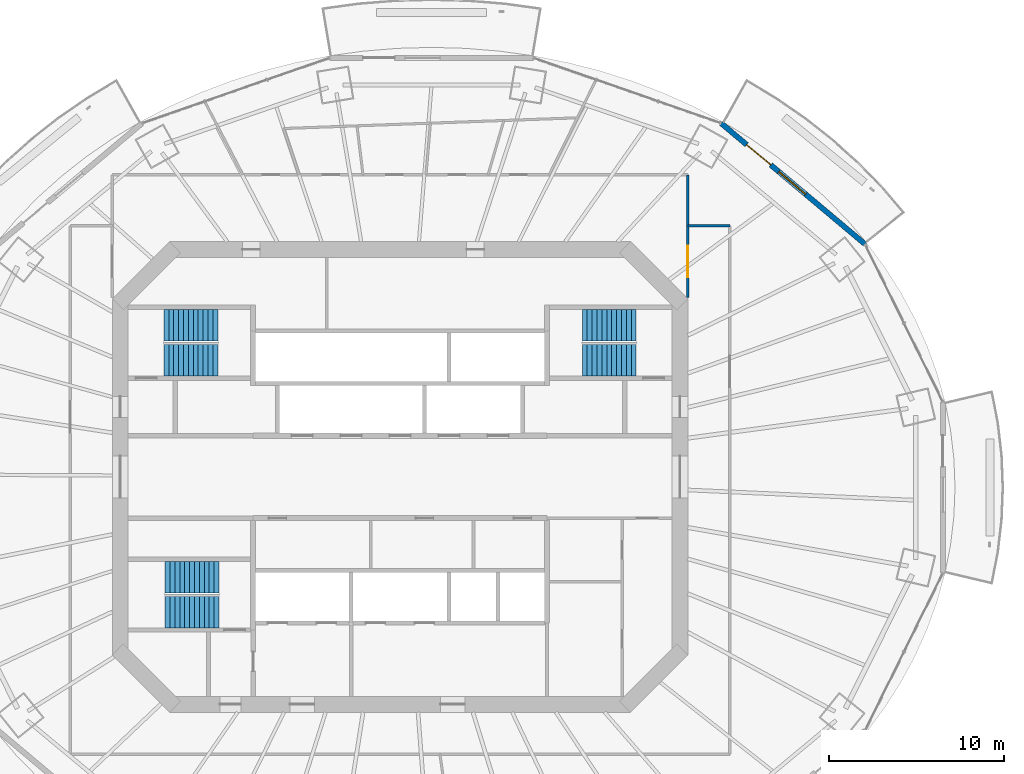
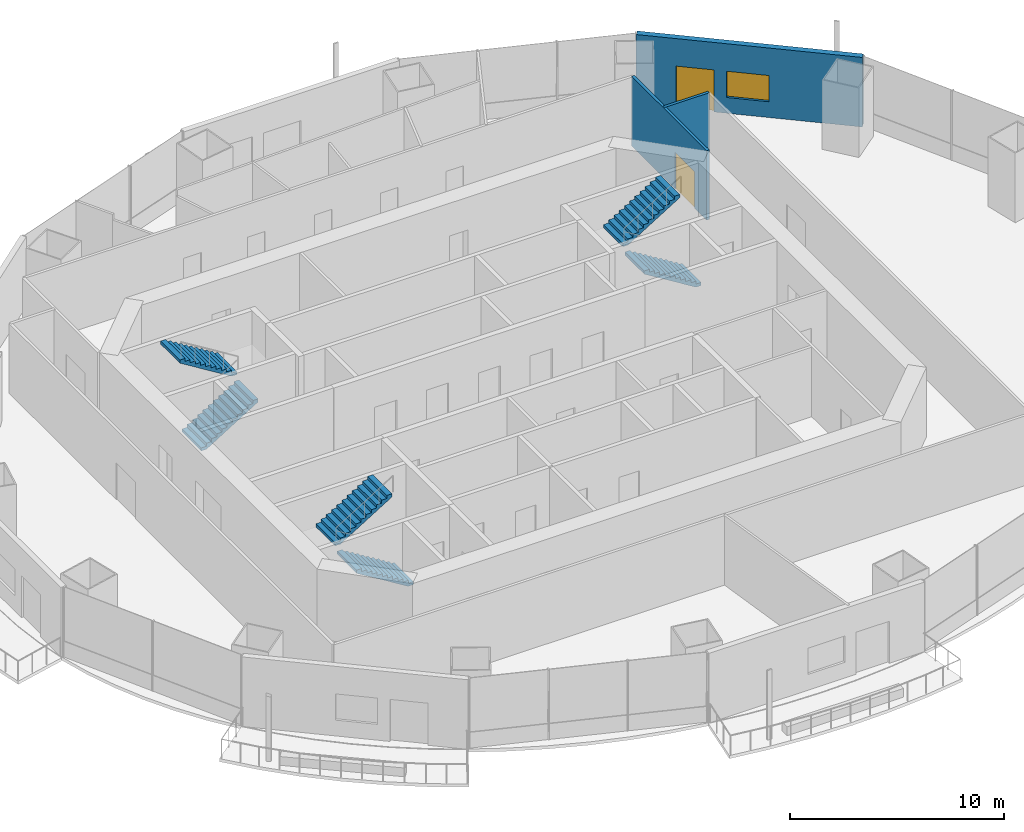
# One storey, part 13 of 19: 6 stair flights, 3 walls, 2 doors, 1 window, 3 openings, 3 elements without a shape of their own.
"""IFC4 building model written with IfcOpenShell, lengths in metres."""

from ifc_helpers import new_model, si_unit, direction, frame, frame_2d, origin, place, context, subcontext, project, spatial, polyline, rectangle, outline, extrude, material, layer, layer_set, type_object, element, fill, aggregate, save


model = new_model("IFC4")

# Units and contexts
model_context = context("Model", 3, precision=1e-05, world=origin(), true_north=direction((0.0, 1.0)))
body_context = subcontext(model_context, "Body", "Model", "MODEL_VIEW")
ifc_project = project(units=[si_unit("LENGTHUNIT", "METRE"), si_unit("AREAUNIT", "SQUARE_METRE"), si_unit("VOLUMEUNIT", "CUBIC_METRE"), si_unit("PLANEANGLEUNIT", "RADIAN"), si_unit("MASSUNIT", "GRAM", prefix="KILO")], contexts=[model_context])

# Site, building, storey
site_placement = place(None, origin())
site = spatial("IfcSite", under=ifc_project, at=site_placement, CompositionType="ELEMENT")
building_placement = place(site_placement, origin())
building = spatial("IfcBuilding", under=site, at=building_placement, Name="Marenthal Gate Tower", CompositionType="ELEMENT")
storey_placement = place(building_placement, frame((0.0, 0.0, 256.5)))
storey = spatial("IfcBuildingStorey", under=building, at=storey_placement, Name="L57", CompositionType="ELEMENT", Elevation=256.5)

# Wall, opening, door
ifc_material_1 = material(Name="Gypsum board on steel studs", Category="steel")
ifc_layer_1 = layer(ifc_material_1, 0.14990234375)
ifc_layer_set_1 = layer_set([ifc_layer_1], Name="Partition 150")
wall_type_1 = type_object("IfcWallType", Name="Partition 150", PredefinedType="PARTITIONING", material=ifc_layer_set_1)
wall_1_placement = place(storey_placement, frame((16.449951171875, 10.25, 0.0), z_axis=(0.0, 0.0, 1.0), x_axis=(0.0, 1.0, 0.0)))
wall_1 = element("IfcWall", 1, at=wall_1_placement, inside=storey, type_object=wall_type_1, Name="Partition wall 62", PredefinedType="PARTITIONING", context=body_context, shape_type="SweptSolid", body=[
    extrude(rectangle(XDim=7.017333984375, YDim=0.14990234375, at=frame_2d((3.5087890625, 0.0))), origin(), (0.0, 0.0, 1.0), 3.969970703125),
])
opening_1_placement = place(wall_1_placement, frame((1.153076171875, 0.0, 0.0)))
opening_1 = element("IfcOpeningElement", 2, at=opening_1_placement, cuts=wall_1, Name="Opening D014.04", PredefinedType="OPENING", context=body_context, shape_type="SweptSolid", body=[
    extrude(rectangle(XDim=1.800048828125, YDim=2.10009765625, at=frame_2d((0.89990234375, 1.050048828125))), frame((0.0, 0.0849609375, 0.0), z_axis=(0.0, -1.0, 0.0), x_axis=(1.0, 0.0, 0.0)), (0.0, 0.0, 1.0), 0.169921875),
])
ifc_material_2 = material(Name="Timber door", Category="wood")
door_type_1 = type_object("IfcDoorType", Name="Double door 1800 x 2100", OperationType="DOUBLE_DOOR_SINGLE_SWING", PredefinedType="DOOR", material=ifc_material_2)
door_1_placement = place(opening_1_placement, origin())
door_1 = element("IfcDoor", 3, at=door_1_placement, inside=storey, type_object=door_type_1, Name="Door D014.04", OperationType="DOUBLE_DOOR_SINGLE_SWING", OverallHeight=2.10009765625, OverallWidth=1.800048828125, PredefinedType="DOOR", context=body_context, shape_type="SweptSolid", body=[
    extrude(rectangle(XDim=1.800048828125, YDim=2.10009765625, at=frame_2d((0.89990234375, 1.050048828125))), frame((0.0, 0.02490234375, 0.0), z_axis=(0.0, -1.0, 0.0), x_axis=(1.0, 0.0, 0.0)), (0.0, 0.0, 1.0), 0.050048828125),
])
fill(opening_1, door_1)

# Wall
wall_2_placement = place(storey_placement, frame((16.449951171875, 14.357177734375, 0.0), z_axis=(0.0, 0.0, 1.0), x_axis=(1.0, 0.0, 0.0)))
element("IfcWall", 4, at=wall_2_placement, inside=storey, type_object=wall_type_1, Name="Partition wall 63", PredefinedType="PARTITIONING", context=body_context, shape_type="SweptSolid", body=[
    extrude(rectangle(XDim=2.400146484375, YDim=0.14990234375, at=frame_2d((1.2001953125, 0.0))), origin(), (0.0, 0.0, 1.0), 3.969970703125),
])

# Wall, openings, door, window
ifc_material_3 = material(Name="Terracotta cladding on insulated concrete-block backing", Category="masonry")
ifc_layer_2 = layer(ifc_material_3, 0.300048828125)
ifc_layer_set_2 = layer_set([ifc_layer_2], Name="Terracotta facade wall 300")
wall_type_2 = type_object("IfcWallType", Name="Terracotta facade wall 300", PredefinedType="SOLIDWALL", material=ifc_layer_set_2)
wall_3_placement = place(storey_placement, frame((26.580322265625, 13.30810546875, 0.0), z_axis=(0.0, 0.0, 1.0), x_axis=(-0.765707104139, 0.643189420522, 0.0)))
wall_3 = element("IfcWall", 5, at=wall_3_placement, inside=storey, type_object=wall_type_2, Name="Terracotta facade wall L57 bay 2", PredefinedType="SOLIDWALL", context=body_context, shape_type="SweptSolid", body=[
    extrude(rectangle(XDim=10.738525390625, YDim=0.300048828125, at=frame_2d((5.369140625, 0.0))), origin(), (0.0, 0.0, 1.0), 3.969970703125),
])
opening_2_placement = place(wall_3_placement, frame((7.03857421875, 0.0, 0.0)))
opening_2 = element("IfcOpeningElement", 6, at=opening_2_placement, cuts=wall_3, Name="Opening BD-L57-02", PredefinedType="OPENING", context=body_context, shape_type="SweptSolid", body=[
    extrude(rectangle(XDim=1.800048828125, YDim=2.39990234375, at=frame_2d((0.89990234375, 1.199951171875))), frame((0.0, 0.16015625, 0.0), z_axis=(0.0, -1.0, 0.0), x_axis=(1.0, 0.0, 0.0)), (0.0, 0.0, 1.0), 0.320068359375),
])
opening_3_placement = place(wall_3_placement, frame((4.4384765625, 0.0, 0.89990234375)))
opening_3 = element("IfcOpeningElement", 7, at=opening_3_placement, cuts=wall_3, Name="Opening WN2-L57-02", PredefinedType="OPENING", context=body_context, shape_type="SweptSolid", body=[
    extrude(rectangle(XDim=2.0, YDim=1.5, at=frame_2d((1.0, 0.75))), frame((0.0, 0.16015625, 0.0), z_axis=(0.0, -1.0, 0.0), x_axis=(1.0, 0.0, 0.0)), (0.0, 0.0, 1.0), 0.320068359375),
])
ifc_material_4 = material(Name="Aluminium and glass", Category="aluminium")
door_type_2 = type_object("IfcDoorType", Name="Balcony door 1800x2400", OperationType="DOUBLE_DOOR_SINGLE_SWING", PredefinedType="DOOR", material=ifc_material_4)
door_2_placement = place(opening_2_placement, origin())
door_2 = element("IfcDoor", 8, at=door_2_placement, inside=storey, type_object=door_type_2, Name="Balcony door L57 bay 2", OperationType="SINGLE_SWING_LEFT", OverallHeight=2.39990234375, OverallWidth=1.800048828125, PredefinedType="DOOR", context=body_context, shape_type="SweptSolid", body=[
    extrude(rectangle(XDim=1.800048828125, YDim=2.39990234375, at=frame_2d((0.89990234375, 1.199951171875))), frame((0.0, 0.02490234375, 0.0), z_axis=(0.0, -1.0, 0.0), x_axis=(1.0, 0.0, 0.0)), (0.0, 0.0, 1.0), 0.050048828125),
])
fill(opening_2, door_2)
ifc_material_5 = material(Name="Aluminium and glass", Category="aluminium")
window_type = type_object("IfcWindowType", Name="Window 2000x1500", PartitioningType="DOUBLE_PANEL_VERTICAL", PredefinedType="WINDOW", material=ifc_material_5)
window_placement = place(opening_3_placement, origin())
window = element("IfcWindow", 9, at=window_placement, inside=storey, type_object=window_type, Name="Window L57 bay 2", OverallHeight=1.5, OverallWidth=2.0, PartitioningType="SINGLE_PANEL", PredefinedType="WINDOW", context=body_context, shape_type="SweptSolid", body=[
    extrude(rectangle(XDim=2.0, YDim=1.5, at=frame_2d((1.0, 0.75))), frame((0.0, 0.030029296875, 0.0), z_axis=(0.0, -1.0, 0.0), x_axis=(1.0, 0.0, 0.0)), (0.0, 0.0, 1.0), 0.06005859375),
])
fill(opening_3, window)

# Stair, stair flights
ifc_material_6 = material(Name="Concrete 40 MPa", Category="concrete")
stair_type = type_object("IfcStairType", Name="Exit stair 1800", PredefinedType="HALF_TURN_STAIR", material=ifc_material_6)
stair_1_placement = place(storey_placement, origin())
stair_1 = element("IfcStair", 10, at=stair_1_placement, inside=storey, type_object=stair_type, Name="Stair ST1", PredefinedType="HALF_TURN_STAIR")
ifc_material_7 = material(Name="Concrete 40 MPa", Category="concrete")
stair_flight_type = type_object("IfcStairFlightType", Name="Stair flight 1800", PredefinedType="STRAIGHT", material=ifc_material_7)
stair_flight_1_placement = place(storey_placement, frame((-13.5, 6.675048828125, 0.0), z_axis=(0.0, 0.0, 1.0), x_axis=(1.0, 0.0, 0.0)))
stair_flight_1 = element("IfcStairFlight", 11, at=stair_flight_1_placement, type_object=stair_flight_type, Name="ST1 flight 1", NumberOfRisers=12, NumberOfTreads=11, PredefinedType="STRAIGHT", RiserHeight=0.172916667, TreadLength=0.28, context=body_context, shape_type="SweptSolid", body=[
    extrude(outline(polyline([(0.0, 0.0), (0.0, 0.1728515625), (0.280029296875, 0.1728515625), (0.280029296875, 0.345947265625), (0.56005859375, 0.345947265625), (0.56005859375, 0.518798828125), (0.840087890625, 0.518798828125), (0.840087890625, 0.691650390625), (1.1201171875, 0.691650390625), (1.1201171875, 0.864501953125), (1.39990234375, 0.864501953125), (1.39990234375, 1.03759765625), (1.679931640625, 1.03759765625), (1.679931640625, 1.21044921875), (1.9599609375, 1.21044921875), (1.9599609375, 1.38330078125), (2.239990234375, 1.38330078125), (2.239990234375, 1.55615234375), (2.52001953125, 1.55615234375), (2.52001953125, 1.729248046875), (2.800048828125, 1.729248046875), (2.800048828125, 1.902099609375), (3.080078125, 1.902099609375), (3.080078125, 2.074951171875), (3.080078125, 1.725830078125), (0.285400390625, 0.0), (0.0, 0.0)])), frame((0.0, 0.89990234375, 0.0), z_axis=(0.0, -1.0, 0.0), x_axis=(1.0, 0.0, 0.0)), (0.0, 0.0, 1.0), 1.800048828125),
])
stair_flight_2_placement = place(storey_placement, frame((-10.419921875, 8.675048828125, 2.074951171875), z_axis=(0.0, 0.0, 1.0), x_axis=(-1.0, 0.0, 0.0)))
stair_flight_2 = element("IfcStairFlight", 12, at=stair_flight_2_placement, type_object=stair_flight_type, Name="ST1 flight 2", NumberOfRisers=12, NumberOfTreads=11, PredefinedType="STRAIGHT", RiserHeight=0.172916667, TreadLength=0.28, context=body_context, shape_type="SweptSolid", body=[
    extrude(outline(polyline([(0.0, 0.0), (0.0, 0.1728515625), (0.280029296875, 0.1728515625), (0.280029296875, 0.345947265625), (0.56005859375, 0.345947265625), (0.56005859375, 0.518798828125), (0.840087890625, 0.518798828125), (0.840087890625, 0.691650390625), (1.1201171875, 0.691650390625), (1.1201171875, 0.864501953125), (1.39990234375, 0.864501953125), (1.39990234375, 1.03759765625), (1.679931640625, 1.03759765625), (1.679931640625, 1.21044921875), (1.9599609375, 1.21044921875), (1.9599609375, 1.38330078125), (2.239990234375, 1.38330078125), (2.239990234375, 1.55615234375), (2.52001953125, 1.55615234375), (2.52001953125, 1.729248046875), (2.800048828125, 1.729248046875), (2.800048828125, 1.902099609375), (3.080078125, 1.902099609375), (3.080078125, 2.074951171875), (3.080078125, 1.725830078125), (0.285400390625, 0.0), (0.0, 0.0)])), frame((0.0, 0.89990234375, 0.0), z_axis=(0.0, -1.0, 0.0), x_axis=(1.0, 0.0, 0.0)), (0.0, 0.0, 1.0), 1.800048828125),
])
aggregate(stair_1, [stair_flight_1, stair_flight_2])

stair_2_placement = place(storey_placement, origin())
stair_2 = element("IfcStair", 13, at=stair_2_placement, inside=storey, type_object=stair_type, Name="Stair ST2", PredefinedType="HALF_TURN_STAIR")
stair_flight_3_placement = place(storey_placement, frame((-10.35009765625, -7.72509765625, 0.0), z_axis=(0.0, 0.0, 1.0), x_axis=(-1.0, 0.0, 0.0)))
stair_flight_3 = element("IfcStairFlight", 14, at=stair_flight_3_placement, type_object=stair_flight_type, Name="ST2 flight 1", NumberOfRisers=12, NumberOfTreads=11, PredefinedType="STRAIGHT", RiserHeight=0.172916667, TreadLength=0.28, context=body_context, shape_type="SweptSolid", body=[
    extrude(outline(polyline([(0.0, 0.0), (0.0, 0.1728515625), (0.280029296875, 0.1728515625), (0.280029296875, 0.345947265625), (0.56005859375, 0.345947265625), (0.56005859375, 0.518798828125), (0.840087890625, 0.518798828125), (0.840087890625, 0.691650390625), (1.1201171875, 0.691650390625), (1.1201171875, 0.864501953125), (1.39990234375, 0.864501953125), (1.39990234375, 1.03759765625), (1.679931640625, 1.03759765625), (1.679931640625, 1.21044921875), (1.9599609375, 1.21044921875), (1.9599609375, 1.38330078125), (2.239990234375, 1.38330078125), (2.239990234375, 1.55615234375), (2.52001953125, 1.55615234375), (2.52001953125, 1.729248046875), (2.800048828125, 1.729248046875), (2.800048828125, 1.902099609375), (3.080078125, 1.902099609375), (3.080078125, 2.074951171875), (3.080078125, 1.725830078125), (0.285400390625, 0.0), (0.0, 0.0)])), frame((0.0, 0.89990234375, 0.0), z_axis=(0.0, -1.0, 0.0), x_axis=(1.0, 0.0, 0.0)), (0.0, 0.0, 1.0), 1.800048828125),
])
stair_flight_4_placement = place(storey_placement, frame((-13.429931640625, -5.72509765625, 2.074951171875), z_axis=(0.0, 0.0, 1.0), x_axis=(1.0, 0.0, 0.0)))
stair_flight_4 = element("IfcStairFlight", 15, at=stair_flight_4_placement, type_object=stair_flight_type, Name="ST2 flight 2", NumberOfRisers=12, NumberOfTreads=11, PredefinedType="STRAIGHT", RiserHeight=0.172916667, TreadLength=0.28, context=body_context, shape_type="SweptSolid", body=[
    extrude(outline(polyline([(0.0, 0.0), (0.0, 0.1728515625), (0.280029296875, 0.1728515625), (0.280029296875, 0.345947265625), (0.56005859375, 0.345947265625), (0.56005859375, 0.518798828125), (0.840087890625, 0.518798828125), (0.840087890625, 0.691650390625), (1.1201171875, 0.691650390625), (1.1201171875, 0.864501953125), (1.39990234375, 0.864501953125), (1.39990234375, 1.03759765625), (1.679931640625, 1.03759765625), (1.679931640625, 1.21044921875), (1.9599609375, 1.21044921875), (1.9599609375, 1.38330078125), (2.239990234375, 1.38330078125), (2.239990234375, 1.55615234375), (2.52001953125, 1.55615234375), (2.52001953125, 1.729248046875), (2.800048828125, 1.729248046875), (2.800048828125, 1.902099609375), (3.080078125, 1.902099609375), (3.080078125, 2.074951171875), (3.080078125, 1.725830078125), (0.285400390625, 0.0), (0.0, 0.0)])), frame((0.0, 0.89990234375, 0.0), z_axis=(0.0, -1.0, 0.0), x_axis=(1.0, 0.0, 0.0)), (0.0, 0.0, 1.0), 1.800048828125),
])
aggregate(stair_2, [stair_flight_3, stair_flight_4])

stair_3_placement = place(storey_placement, origin())
stair_3 = element("IfcStair", 16, at=stair_3_placement, inside=storey, type_object=stair_type, Name="Stair ST3", PredefinedType="HALF_TURN_STAIR")
stair_flight_5_placement = place(storey_placement, frame((13.5, 6.675048828125, 0.0), z_axis=(0.0, 0.0, 1.0), x_axis=(-1.0, 0.0, 0.0)))
stair_flight_5 = element("IfcStairFlight", 17, at=stair_flight_5_placement, type_object=stair_flight_type, Name="ST3 flight 1", NumberOfRisers=12, NumberOfTreads=11, PredefinedType="STRAIGHT", RiserHeight=0.172916667, TreadLength=0.28, context=body_context, shape_type="SweptSolid", body=[
    extrude(outline(polyline([(0.0, 0.0), (0.0, 0.1728515625), (0.280029296875, 0.1728515625), (0.280029296875, 0.345947265625), (0.56005859375, 0.345947265625), (0.56005859375, 0.518798828125), (0.840087890625, 0.518798828125), (0.840087890625, 0.691650390625), (1.1201171875, 0.691650390625), (1.1201171875, 0.864501953125), (1.39990234375, 0.864501953125), (1.39990234375, 1.03759765625), (1.679931640625, 1.03759765625), (1.679931640625, 1.21044921875), (1.9599609375, 1.21044921875), (1.9599609375, 1.38330078125), (2.239990234375, 1.38330078125), (2.239990234375, 1.55615234375), (2.52001953125, 1.55615234375), (2.52001953125, 1.729248046875), (2.800048828125, 1.729248046875), (2.800048828125, 1.902099609375), (3.080078125, 1.902099609375), (3.080078125, 2.074951171875), (3.080078125, 1.725830078125), (0.285400390625, 0.0), (0.0, 0.0)])), frame((0.0, 0.89990234375, 0.0), z_axis=(0.0, -1.0, 0.0), x_axis=(1.0, 0.0, 0.0)), (0.0, 0.0, 1.0), 1.800048828125),
])
stair_flight_6_placement = place(storey_placement, frame((10.419921875, 8.675048828125, 2.074951171875), z_axis=(0.0, 0.0, 1.0), x_axis=(1.0, 0.0, 0.0)))
stair_flight_6 = element("IfcStairFlight", 18, at=stair_flight_6_placement, type_object=stair_flight_type, Name="ST3 flight 2", NumberOfRisers=12, NumberOfTreads=11, PredefinedType="STRAIGHT", RiserHeight=0.172916667, TreadLength=0.28, context=body_context, shape_type="SweptSolid", body=[
    extrude(outline(polyline([(0.0, 0.0), (0.0, 0.1728515625), (0.280029296875, 0.1728515625), (0.280029296875, 0.345947265625), (0.56005859375, 0.345947265625), (0.56005859375, 0.518798828125), (0.840087890625, 0.518798828125), (0.840087890625, 0.691650390625), (1.1201171875, 0.691650390625), (1.1201171875, 0.864501953125), (1.39990234375, 0.864501953125), (1.39990234375, 1.03759765625), (1.679931640625, 1.03759765625), (1.679931640625, 1.21044921875), (1.9599609375, 1.21044921875), (1.9599609375, 1.38330078125), (2.239990234375, 1.38330078125), (2.239990234375, 1.55615234375), (2.52001953125, 1.55615234375), (2.52001953125, 1.729248046875), (2.800048828125, 1.729248046875), (2.800048828125, 1.902099609375), (3.080078125, 1.902099609375), (3.080078125, 2.074951171875), (3.080078125, 1.725830078125), (0.285400390625, 0.0), (0.0, 0.0)])), frame((0.0, 0.89990234375, 0.0), z_axis=(0.0, -1.0, 0.0), x_axis=(1.0, 0.0, 0.0)), (0.0, 0.0, 1.0), 1.800048828125),
])
aggregate(stair_3, [stair_flight_5, stair_flight_6])

save(model, "model.ifc")
